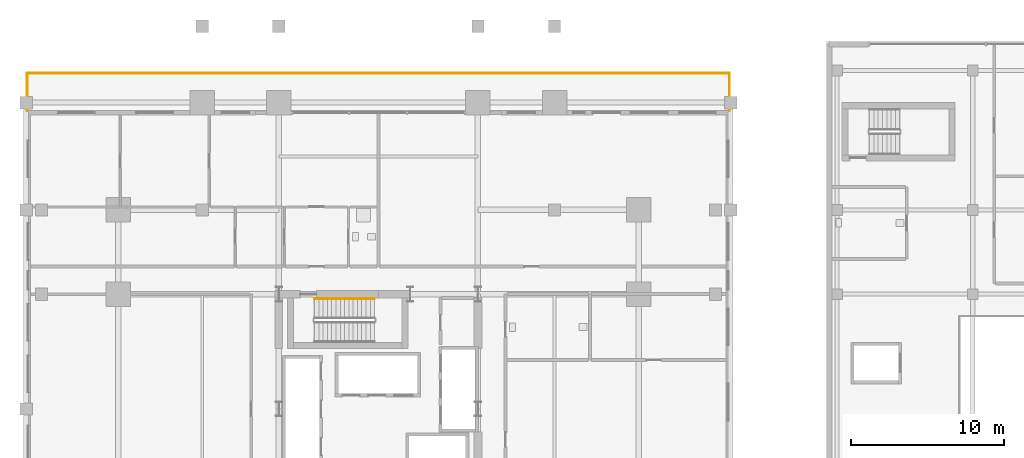
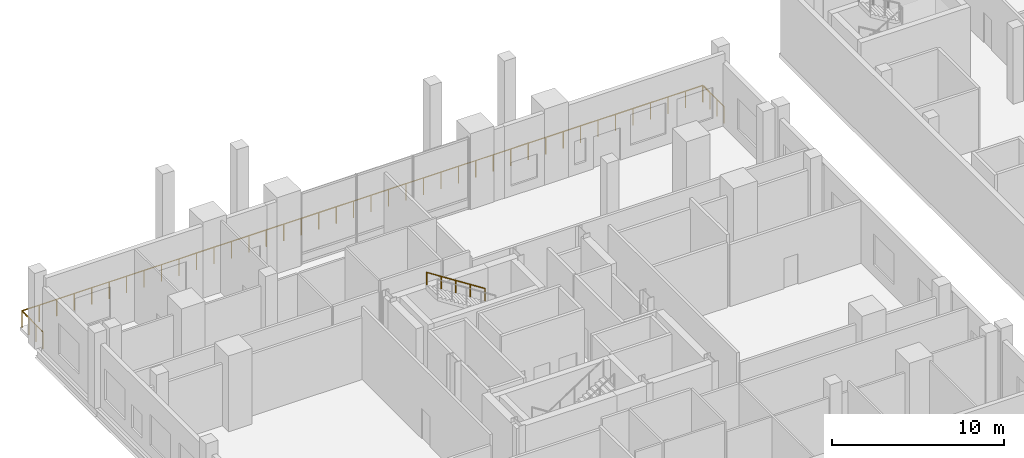
# One storey, part 20 of 22: 2 railings.
"""IFC4 building model written with IfcOpenShell, lengths in metres."""

from ifc_helpers import new_model, si_unit, direction, frame, origin, origin_2d, place, context, subcontext, project, spatial, circle, extrude, material, type_object, element, save


model = new_model("IFC4")

# Units and contexts
model_context = context("Model", 3, precision=1e-05, world=origin(), true_north=direction((0.0, 1.0)))
body_context = subcontext(model_context, "Body", "Model", "MODEL_VIEW")
ifc_project = project(units=[si_unit("LENGTHUNIT", "METRE"), si_unit("AREAUNIT", "SQUARE_METRE"), si_unit("VOLUMEUNIT", "CUBIC_METRE"), si_unit("PLANEANGLEUNIT", "RADIAN"), si_unit("MASSUNIT", "GRAM", prefix="KILO")], contexts=[model_context])

# Site, building, storey
site_placement = place(None, origin())
site = spatial("IfcSite", under=ifc_project, at=site_placement, CompositionType="ELEMENT")
building_placement = place(site_placement, origin())
building = spatial("IfcBuilding", under=site, at=building_placement, Name="Barlavira Tower and Art Museum", CompositionType="ELEMENT")
storey_placement = place(building_placement, frame((0.0, 0.0, 16.800048828125)))
storey = spatial("IfcBuildingStorey", under=building, at=storey_placement, Name="L03", CompositionType="ELEMENT", Elevation=16.800048828125)

# Railings
ifc_material_1 = material(Name="Brushed stainless steel", Category="steel")
railing_type_1 = type_object("IfcRailingType", Name="Stair Pitch Tubular Steel Handrail 920", PredefinedType="HANDRAIL", material=ifc_material_1)
railing_1_placement = place(storey_placement, frame((-0.25, 7.199951171875, 2.8798828125)))
element("IfcRailing", 1, at=railing_1_placement, inside=storey, type_object=railing_type_1, Name="L03 ST-T2 stair handrail 2", PredefinedType="HANDRAIL", context=body_context, shape_type="SweptSolid", body=[
    extrude(circle(Radius=0.02392578125, at=origin_2d()), frame((0.0, 0.0, 0.8759765625), z_axis=(-0.841171666519, 0.0, 0.540768182723), x_axis=(0.0, -1.0, 0.0)), (0.0, 0.0, 1.0), 4.66015625),
    extrude(circle(Radius=0.02099609375, at=origin_2d()), origin(), (0.0, 0.0, 1.0), 0.851806640625),
    extrude(circle(Radius=0.02099609375, at=origin_2d()), frame((-0.97998046875, 0.0, 0.6298828125)), (0.0, 0.0, 1.0), 0.851806640625),
    extrude(circle(Radius=0.02099609375, at=origin_2d()), frame((-1.9599609375, 0.0, 1.260009765625)), (0.0, 0.0, 1.0), 0.851806640625),
    extrude(circle(Radius=0.02099609375, at=origin_2d()), frame((-2.93994140625, 0.0, 1.89013671875)), (0.0, 0.0, 1.0), 0.851806640625),
    extrude(circle(Radius=0.02099609375, at=origin_2d()), frame((-3.919921875, 0.0, 2.52001953125)), (0.0, 0.0, 1.0), 0.851806640625),
])
ifc_material_2 = material(Name="Laminated safety glass and stainless steel", Category="steel")
railing_type_2 = type_object("IfcRailingType", Name="Terrace and Wind-Floor Laminated Glass Balustrade 1200", PredefinedType="BALUSTRADE", material=ifc_material_2)
railing_2_placement = place(storey_placement, frame((-22.919921875, 19.449951171875, 0.0)))
element("IfcRailing", 2, at=railing_2_placement, inside=storey, type_object=railing_type_2, Name="L03 North Cascade Terrace Balustrade", PredefinedType="BALUSTRADE", context=body_context, shape_type="SweptSolid", body=[
    extrude(circle(Radius=0.02392578125, at=origin_2d()), frame((0.0, 0.0, 1.17578125), z_axis=(0.0, 1.0, 0.0), x_axis=(-1.0, 0.0, 0.0)), (0.0, 0.0, 1.0), 2.469970703125),
    extrude(circle(Radius=0.02392578125, at=origin_2d()), frame((0.0, 2.469970703125, 1.17578125), z_axis=(1.0, 0.0, 0.0), x_axis=(0.0, 1.0, 0.0)), (0.0, 0.0, 1.0), 45.83984375),
    extrude(circle(Radius=0.02392578125, at=origin_2d()), frame((45.83984375, 2.469970703125, 1.17578125), z_axis=(0.0, -1.0, 0.0), x_axis=(1.0, 0.0, 0.0)), (0.0, 0.0, 1.0), 2.469970703125),
    extrude(circle(Radius=0.02099609375, at=origin_2d()), origin(), (0.0, 0.0, 1.0), 1.15185546875),
    extrude(circle(Radius=0.02099609375, at=origin_2d()), frame((0.0, 0.8232421875, 0.0)), (0.0, 0.0, 1.0), 1.15185546875),
    extrude(circle(Radius=0.02099609375, at=origin_2d()), frame((0.0, 1.646728515625, 0.0)), (0.0, 0.0, 1.0), 1.15185546875),
    extrude(circle(Radius=0.02099609375, at=origin_2d()), frame((0.0, 2.469970703125, 0.0)), (0.0, 0.0, 1.0), 1.15185546875),
    extrude(circle(Radius=0.02099609375, at=origin_2d()), frame((1.17529296875, 2.469970703125, 0.0)), (0.0, 0.0, 1.0), 1.15185546875),
    extrude(circle(Radius=0.02099609375, at=origin_2d()), frame((2.350830078125, 2.469970703125, 0.0)), (0.0, 0.0, 1.0), 1.15185546875),
    extrude(circle(Radius=0.02099609375, at=origin_2d()), frame((3.526123046875, 2.469970703125, 0.0)), (0.0, 0.0, 1.0), 1.15185546875),
    extrude(circle(Radius=0.02099609375, at=origin_2d()), frame((4.701416015625, 2.469970703125, 0.0)), (0.0, 0.0, 1.0), 1.15185546875),
    extrude(circle(Radius=0.02099609375, at=origin_2d()), frame((5.876953125, 2.469970703125, 0.0)), (0.0, 0.0, 1.0), 1.15185546875),
    extrude(circle(Radius=0.02099609375, at=origin_2d()), frame((7.05224609375, 2.469970703125, 0.0)), (0.0, 0.0, 1.0), 1.15185546875),
    extrude(circle(Radius=0.02099609375, at=origin_2d()), frame((8.227783203125, 2.469970703125, 0.0)), (0.0, 0.0, 1.0), 1.15185546875),
    extrude(circle(Radius=0.02099609375, at=origin_2d()), frame((9.403076171875, 2.469970703125, 0.0)), (0.0, 0.0, 1.0), 1.15185546875),
    extrude(circle(Radius=0.02099609375, at=origin_2d()), frame((10.578369140625, 2.469970703125, 0.0)), (0.0, 0.0, 1.0), 1.15185546875),
    extrude(circle(Radius=0.02099609375, at=origin_2d()), frame((11.75390625, 2.469970703125, 0.0)), (0.0, 0.0, 1.0), 1.15185546875),
    extrude(circle(Radius=0.02099609375, at=origin_2d()), frame((12.92919921875, 2.469970703125, 0.0)), (0.0, 0.0, 1.0), 1.15185546875),
    extrude(circle(Radius=0.02099609375, at=origin_2d()), frame((14.1044921875, 2.469970703125, 0.0)), (0.0, 0.0, 1.0), 1.15185546875),
    extrude(circle(Radius=0.02099609375, at=origin_2d()), frame((15.280029296875, 2.469970703125, 0.0)), (0.0, 0.0, 1.0), 1.15185546875),
    extrude(circle(Radius=0.02099609375, at=origin_2d()), frame((16.455322265625, 2.469970703125, 0.0)), (0.0, 0.0, 1.0), 1.15185546875),
    extrude(circle(Radius=0.02099609375, at=origin_2d()), frame((17.630615234375, 2.469970703125, 0.0)), (0.0, 0.0, 1.0), 1.15185546875),
    extrude(circle(Radius=0.02099609375, at=origin_2d()), frame((18.80615234375, 2.469970703125, 0.0)), (0.0, 0.0, 1.0), 1.15185546875),
    extrude(circle(Radius=0.02099609375, at=origin_2d()), frame((19.9814453125, 2.469970703125, 0.0)), (0.0, 0.0, 1.0), 1.15185546875),
    extrude(circle(Radius=0.02099609375, at=origin_2d()), frame((21.15673828125, 2.469970703125, 0.0)), (0.0, 0.0, 1.0), 1.15185546875),
    extrude(circle(Radius=0.02099609375, at=origin_2d()), frame((22.332275390625, 2.469970703125, 0.0)), (0.0, 0.0, 1.0), 1.15185546875),
    extrude(circle(Radius=0.02099609375, at=origin_2d()), frame((23.507568359375, 2.469970703125, 0.0)), (0.0, 0.0, 1.0), 1.15185546875),
    extrude(circle(Radius=0.02099609375, at=origin_2d()), frame((24.68310546875, 2.469970703125, 0.0)), (0.0, 0.0, 1.0), 1.15185546875),
    extrude(circle(Radius=0.02099609375, at=origin_2d()), frame((25.8583984375, 2.469970703125, 0.0)), (0.0, 0.0, 1.0), 1.15185546875),
    extrude(circle(Radius=0.02099609375, at=origin_2d()), frame((27.03369140625, 2.469970703125, 0.0)), (0.0, 0.0, 1.0), 1.15185546875),
    extrude(circle(Radius=0.02099609375, at=origin_2d()), frame((28.209228515625, 2.469970703125, 0.0)), (0.0, 0.0, 1.0), 1.15185546875),
    extrude(circle(Radius=0.02099609375, at=origin_2d()), frame((29.384521484375, 2.469970703125, 0.0)), (0.0, 0.0, 1.0), 1.15185546875),
    extrude(circle(Radius=0.02099609375, at=origin_2d()), frame((30.559814453125, 2.469970703125, 0.0)), (0.0, 0.0, 1.0), 1.15185546875),
    extrude(circle(Radius=0.02099609375, at=origin_2d()), frame((31.7353515625, 2.469970703125, 0.0)), (0.0, 0.0, 1.0), 1.15185546875),
    extrude(circle(Radius=0.02099609375, at=origin_2d()), frame((32.91064453125, 2.469970703125, 0.0)), (0.0, 0.0, 1.0), 1.15185546875),
    extrude(circle(Radius=0.02099609375, at=origin_2d()), frame((34.0859375, 2.469970703125, 0.0)), (0.0, 0.0, 1.0), 1.15185546875),
    extrude(circle(Radius=0.02099609375, at=origin_2d()), frame((35.261474609375, 2.469970703125, 0.0)), (0.0, 0.0, 1.0), 1.15185546875),
    extrude(circle(Radius=0.02099609375, at=origin_2d()), frame((36.436767578125, 2.469970703125, 0.0)), (0.0, 0.0, 1.0), 1.15185546875),
    extrude(circle(Radius=0.02099609375, at=origin_2d()), frame((37.612060546875, 2.469970703125, 0.0)), (0.0, 0.0, 1.0), 1.15185546875),
    extrude(circle(Radius=0.02099609375, at=origin_2d()), frame((38.78759765625, 2.469970703125, 0.0)), (0.0, 0.0, 1.0), 1.15185546875),
    extrude(circle(Radius=0.02099609375, at=origin_2d()), frame((39.962890625, 2.469970703125, 0.0)), (0.0, 0.0, 1.0), 1.15185546875),
    extrude(circle(Radius=0.02099609375, at=origin_2d()), frame((41.138427734375, 2.469970703125, 0.0)), (0.0, 0.0, 1.0), 1.15185546875),
    extrude(circle(Radius=0.02099609375, at=origin_2d()), frame((42.313720703125, 2.469970703125, 0.0)), (0.0, 0.0, 1.0), 1.15185546875),
    extrude(circle(Radius=0.02099609375, at=origin_2d()), frame((43.489013671875, 2.469970703125, 0.0)), (0.0, 0.0, 1.0), 1.15185546875),
    extrude(circle(Radius=0.02099609375, at=origin_2d()), frame((44.66455078125, 2.469970703125, 0.0)), (0.0, 0.0, 1.0), 1.15185546875),
    extrude(circle(Radius=0.02099609375, at=origin_2d()), frame((45.83984375, 2.469970703125, 0.0)), (0.0, 0.0, 1.0), 1.15185546875),
    extrude(circle(Radius=0.02099609375, at=origin_2d()), frame((45.83984375, 1.646728515625, 0.0)), (0.0, 0.0, 1.0), 1.15185546875),
    extrude(circle(Radius=0.02099609375, at=origin_2d()), frame((45.83984375, 0.8232421875, 0.0)), (0.0, 0.0, 1.0), 1.15185546875),
    extrude(circle(Radius=0.02099609375, at=origin_2d()), frame((45.83984375, 0.0, 0.0)), (0.0, 0.0, 1.0), 1.15185546875),
])

save(model, "model.ifc")
